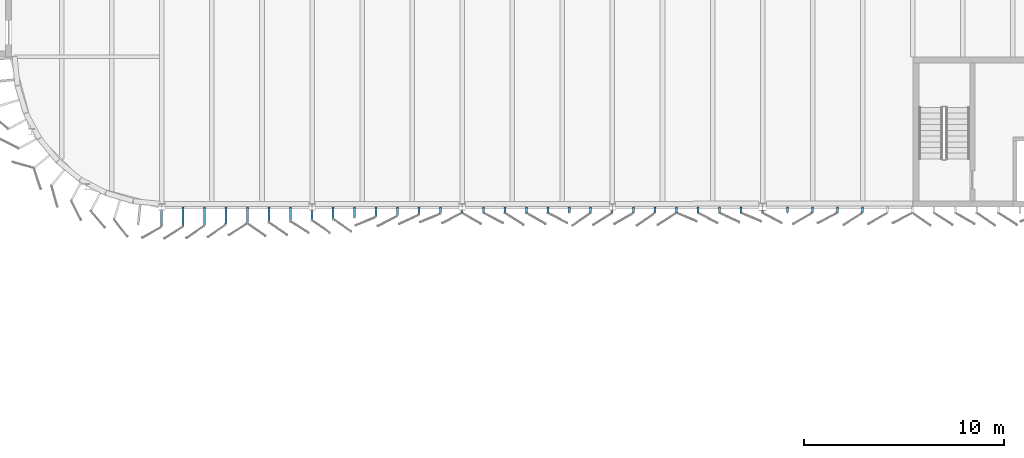
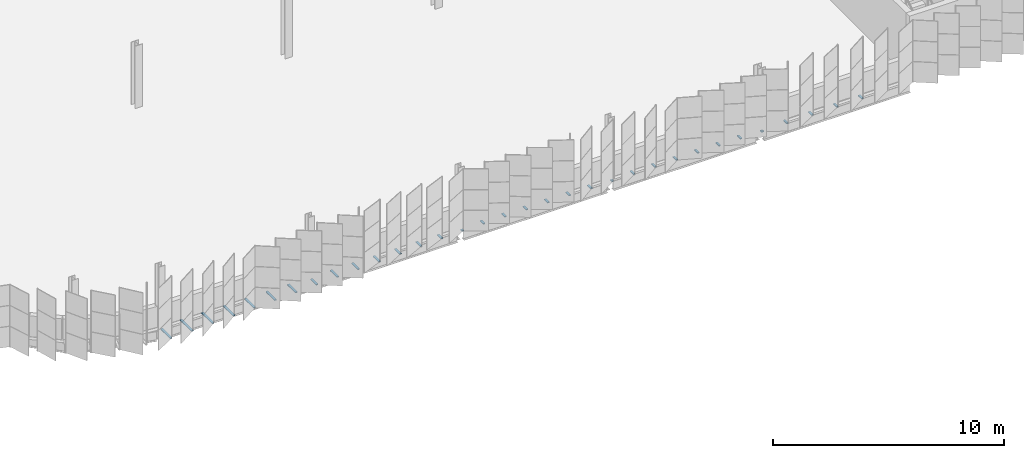
# One storey, part 165 of 199: 33 discrete accessories.
"""IFC4 building model written with IfcOpenShell, lengths in metres."""

from ifc_helpers import new_model, si_unit, direction, frame, origin, origin_2d, place, context, subcontext, project, spatial, rectangle, extrude, material, type_object, element, save


model = new_model("IFC4")

# Units and contexts
model_context = context("Model", 3, precision=1e-05, world=origin(), true_north=direction((0.0, 1.0)))
body_context = subcontext(model_context, "Body", "Model", "MODEL_VIEW")
ifc_project = project(units=[si_unit("LENGTHUNIT", "METRE"), si_unit("AREAUNIT", "SQUARE_METRE"), si_unit("VOLUMEUNIT", "CUBIC_METRE"), si_unit("PLANEANGLEUNIT", "RADIAN"), si_unit("MASSUNIT", "GRAM", prefix="KILO")], contexts=[model_context])

# Site, building, storey
site_placement = place(None, origin())
site = spatial("IfcSite", under=ifc_project, at=site_placement, CompositionType="ELEMENT")
building_placement = place(site_placement, origin())
building = spatial("IfcBuilding", under=site, at=building_placement, Name="Parallax Yard Mobility Hub", CompositionType="ELEMENT")
storey_placement = place(building_placement, frame((0.0, 0.0, 9.89990234375)))
storey = spatial("IfcBuildingStorey", under=building, at=storey_placement, Name="L03", CompositionType="ELEMENT", Elevation=9.89990234375)

# Discrete accessories
ifc_material = material(Name="Steel ASTM A36, hot-dip galvanised", Category="steel")
discrete_accessory_type = type_object("IfcDiscreteAccessoryType", Name="Hinge bracket plate 100x50", PredefinedType="BRACKET", material=ifc_material)
discrete_accessory_1_placement = place(storey_placement, frame((29.9853515625, 111.928955078125, -0.02490234375), z_axis=(0.0, 0.0, 1.0), x_axis=(0.0, -1.0, 0.0)))
element("IfcDiscreteAccessory", 1, at=discrete_accessory_1_placement, inside=storey, type_object=discrete_accessory_type, Name="Hinge bracket plate bay 1.1 level L03", PredefinedType="BRACKET", context=body_context, shape_type="SweptSolid", body=[
    extrude(rectangle(XDim=0.8251953125, YDim=0.10009765625, at=origin_2d()), origin(), (0.0, 0.0, 1.0), 0.050048828125),
])
discrete_accessory_2_placement = place(storey_placement, frame((31.056884765625, 112.0166015625, -0.02490234375), z_axis=(0.0, 0.0, 1.0), x_axis=(0.0, -1.0, 0.0)))
element("IfcDiscreteAccessory", 2, at=discrete_accessory_2_placement, inside=storey, type_object=discrete_accessory_type, Name="Hinge bracket plate bay 1.2 level L03", PredefinedType="BRACKET", context=body_context, shape_type="SweptSolid", body=[
    extrude(rectangle(XDim=0.968017578125, YDim=0.10009765625, at=origin_2d()), origin(), (0.0, 0.0, 1.0), 0.050048828125),
])
discrete_accessory_3_placement = place(storey_placement, frame((32.12841796875, 112.043212890625, -0.02490234375), z_axis=(0.0, 0.0, 1.0), x_axis=(0.0, -1.0, 0.0)))
element("IfcDiscreteAccessory", 3, at=discrete_accessory_3_placement, inside=storey, type_object=discrete_accessory_type, Name="Hinge bracket plate bay 1.3 level L03", PredefinedType="BRACKET", context=body_context, shape_type="SweptSolid", body=[
    extrude(rectangle(XDim=0.91455078125, YDim=0.10009765625, at=origin_2d()), origin(), (0.0, 0.0, 1.0), 0.050048828125),
])
discrete_accessory_4_placement = place(storey_placement, frame((33.19970703125, 112.070068359375, -0.02490234375), z_axis=(0.0, 0.0, 1.0), x_axis=(0.0, -1.0, 0.0)))
element("IfcDiscreteAccessory", 4, at=discrete_accessory_4_placement, inside=storey, type_object=discrete_accessory_type, Name="Hinge bracket plate bay 1.4 level L03", PredefinedType="BRACKET", context=body_context, shape_type="SweptSolid", body=[
    extrude(rectangle(XDim=0.86083984375, YDim=0.10009765625, at=origin_2d()), origin(), (0.0, 0.0, 1.0), 0.050048828125),
])
discrete_accessory_5_placement = place(storey_placement, frame((34.271240234375, 112.0966796875, -0.02490234375), z_axis=(0.0, 0.0, 1.0), x_axis=(0.0, -1.0, 0.0)))
element("IfcDiscreteAccessory", 5, at=discrete_accessory_5_placement, inside=storey, type_object=discrete_accessory_type, Name="Hinge bracket plate bay 1.5 level L03", PredefinedType="BRACKET", context=body_context, shape_type="SweptSolid", body=[
    extrude(rectangle(XDim=0.807373046875, YDim=0.10009765625, at=origin_2d()), origin(), (0.0, 0.0, 1.0), 0.050048828125),
])
discrete_accessory_6_placement = place(storey_placement, frame((35.3427734375, 112.12353515625, -0.02490234375), z_axis=(0.0, 0.0, 1.0), x_axis=(0.0, -1.0, 0.0)))
element("IfcDiscreteAccessory", 6, at=discrete_accessory_6_placement, inside=storey, type_object=discrete_accessory_type, Name="Hinge bracket plate bay 1.6 level L03", PredefinedType="BRACKET", context=body_context, shape_type="SweptSolid", body=[
    extrude(rectangle(XDim=0.75390625, YDim=0.10009765625, at=origin_2d()), origin(), (0.0, 0.0, 1.0), 0.050048828125),
])
discrete_accessory_7_placement = place(storey_placement, frame((36.414306640625, 112.150390625, -0.02490234375), z_axis=(0.0, 0.0, 1.0), x_axis=(0.0, -1.0, 0.0)))
element("IfcDiscreteAccessory", 7, at=discrete_accessory_7_placement, inside=storey, type_object=discrete_accessory_type, Name="Hinge bracket plate bay 1.7 level L03", PredefinedType="BRACKET", context=body_context, shape_type="SweptSolid", body=[
    extrude(rectangle(XDim=0.7001953125, YDim=0.10009765625, at=origin_2d()), origin(), (0.0, 0.0, 1.0), 0.050048828125),
])
discrete_accessory_8_placement = place(storey_placement, frame((37.48583984375, 112.100341796875, -0.02490234375), z_axis=(0.0, 0.0, 1.0), x_axis=(0.0, -1.0, 0.0)))
element("IfcDiscreteAccessory", 8, at=discrete_accessory_8_placement, inside=storey, type_object=discrete_accessory_type, Name="Hinge bracket plate bay 2.1 level L03", PredefinedType="BRACKET", context=body_context, shape_type="SweptSolid", body=[
    extrude(rectangle(XDim=0.4931640625, YDim=0.10009765625, at=origin_2d()), origin(), (0.0, 0.0, 1.0), 0.050048828125),
])
discrete_accessory_9_placement = place(storey_placement, frame((38.557373046875, 112.2041015625, -0.02490234375), z_axis=(0.0, 0.0, 1.0), x_axis=(0.0, -1.0, 0.0)))
element("IfcDiscreteAccessory", 9, at=discrete_accessory_9_placement, inside=storey, type_object=discrete_accessory_type, Name="Hinge bracket plate bay 2.2 level L03", PredefinedType="BRACKET", context=body_context, shape_type="SweptSolid", body=[
    extrude(rectangle(XDim=0.593017578125, YDim=0.10009765625, at=origin_2d()), origin(), (0.0, 0.0, 1.0), 0.050048828125),
])
discrete_accessory_10_placement = place(storey_placement, frame((39.62890625, 112.230712890625, -0.02490234375), z_axis=(0.0, 0.0, 1.0), x_axis=(0.0, -1.0, 0.0)))
element("IfcDiscreteAccessory", 10, at=discrete_accessory_10_placement, inside=storey, type_object=discrete_accessory_type, Name="Hinge bracket plate bay 2.3 level L03", PredefinedType="BRACKET", context=body_context, shape_type="SweptSolid", body=[
    extrude(rectangle(XDim=0.53955078125, YDim=0.10009765625, at=origin_2d()), origin(), (0.0, 0.0, 1.0), 0.050048828125),
])
discrete_accessory_11_placement = place(storey_placement, frame((40.7001953125, 112.257568359375, -0.02490234375), z_axis=(0.0, 0.0, 1.0), x_axis=(0.0, -1.0, 0.0)))
element("IfcDiscreteAccessory", 11, at=discrete_accessory_11_placement, inside=storey, type_object=discrete_accessory_type, Name="Hinge bracket plate bay 2.4 level L03", PredefinedType="BRACKET", context=body_context, shape_type="SweptSolid", body=[
    extrude(rectangle(XDim=0.48583984375, YDim=0.10009765625, at=origin_2d()), origin(), (0.0, 0.0, 1.0), 0.050048828125),
])
discrete_accessory_12_placement = place(storey_placement, frame((41.771728515625, 112.2841796875, -0.02490234375), z_axis=(0.0, 0.0, 1.0), x_axis=(0.0, -1.0, 0.0)))
element("IfcDiscreteAccessory", 12, at=discrete_accessory_12_placement, inside=storey, type_object=discrete_accessory_type, Name="Hinge bracket plate bay 2.5 level L03", PredefinedType="BRACKET", context=body_context, shape_type="SweptSolid", body=[
    extrude(rectangle(XDim=0.432373046875, YDim=0.10009765625, at=origin_2d()), origin(), (0.0, 0.0, 1.0), 0.050048828125),
])
discrete_accessory_13_placement = place(storey_placement, frame((42.84326171875, 112.31103515625, -0.02490234375), z_axis=(0.0, 0.0, 1.0), x_axis=(0.0, -1.0, 0.0)))
element("IfcDiscreteAccessory", 13, at=discrete_accessory_13_placement, inside=storey, type_object=discrete_accessory_type, Name="Hinge bracket plate bay 2.6 level L03", PredefinedType="BRACKET", context=body_context, shape_type="SweptSolid", body=[
    extrude(rectangle(XDim=0.37890625, YDim=0.10009765625, at=origin_2d()), origin(), (0.0, 0.0, 1.0), 0.050048828125),
])
discrete_accessory_14_placement = place(storey_placement, frame((43.914794921875, 112.337890625, -0.02490234375), z_axis=(0.0, 0.0, 1.0), x_axis=(0.0, -1.0, 0.0)))
element("IfcDiscreteAccessory", 14, at=discrete_accessory_14_placement, inside=storey, type_object=discrete_accessory_type, Name="Hinge bracket plate bay 2.7 level L03", PredefinedType="BRACKET", context=body_context, shape_type="SweptSolid", body=[
    extrude(rectangle(XDim=0.3251953125, YDim=0.10009765625, at=origin_2d()), origin(), (0.0, 0.0, 1.0), 0.050048828125),
])
discrete_accessory_15_placement = place(storey_placement, frame((44.986328125, 112.28173828125, -0.02490234375), z_axis=(0.0, 0.0, 1.0), x_axis=(0.0, -1.0, 0.0)))
element("IfcDiscreteAccessory", 15, at=discrete_accessory_15_placement, inside=storey, type_object=discrete_accessory_type, Name="Hinge bracket plate bay 3.1 level L03", PredefinedType="BRACKET", context=body_context, shape_type="SweptSolid", body=[
    extrude(rectangle(XDim=0.130615234375, YDim=0.10009765625, at=origin_2d()), origin(), (0.0, 0.0, 1.0), 0.050048828125),
])
for number, where, z_axis, x_axis, name in (
    (16, (46.057861328125, 112.3583984375, -0.02490234375), (0.0, 0.0, 1.0), (0.0, -1.0, 0.0), "Hinge bracket plate bay 3.2 level L03"),
    (17, (47.12939453125, 112.3583984375, -0.02490234375), (0.0, 0.0, 1.0), (0.0, -1.0, 0.0), "Hinge bracket plate bay 3.3 level L03"),
    (18, (48.20068359375, 112.3583984375, -0.02490234375), (0.0, 0.0, 1.0), (0.0, -1.0, 0.0), "Hinge bracket plate bay 3.4 level L03"),
    (19, (49.272216796875, 112.3583984375, -0.02490234375), (0.0, 0.0, 1.0), (0.0, -1.0, 0.0), "Hinge bracket plate bay 3.5 level L03"),
    (20, (50.34375, 112.3583984375, -0.02490234375), (0.0, 0.0, 1.0), (0.0, -1.0, 0.0), "Hinge bracket plate bay 3.6 level L03"),
    (21, (51.415283203125, 112.3583984375, -0.02490234375), (0.0, 0.0, 1.0), (0.0, -1.0, 0.0), "Hinge bracket plate bay 3.7 level L03"),
):
    element("IfcDiscreteAccessory", number, at=place(storey_placement, frame(where, z_axis=z_axis, x_axis=x_axis)), inside=storey, type_object=discrete_accessory_type, Name=name, PredefinedType="BRACKET", context=body_context, shape_type="SweptSolid", body=[
        extrude(rectangle(XDim=0.2841796875, YDim=0.10009765625, at=origin_2d()), origin(), (0.0, 0.0, 1.0), 0.050048828125),
    ])
discrete_accessory_16_placement = place(storey_placement, frame((52.48681640625, 112.28173828125, -0.02490234375), z_axis=(0.0, 0.0, 1.0), x_axis=(0.0, -1.0, 0.0)))
element("IfcDiscreteAccessory", 22, at=discrete_accessory_16_placement, inside=storey, type_object=discrete_accessory_type, Name="Hinge bracket plate bay 4.1 level L03", PredefinedType="BRACKET", context=body_context, shape_type="SweptSolid", body=[
    extrude(rectangle(XDim=0.130615234375, YDim=0.10009765625, at=origin_2d()), origin(), (0.0, 0.0, 1.0), 0.050048828125),
])
for number, where, z_axis, x_axis, name in (
    (23, (53.558349609375, 112.3583984375, -0.02490234375), (0.0, 0.0, 1.0), (0.0, -1.0, 0.0), "Hinge bracket plate bay 4.2 level L03"),
    (24, (54.6298828125, 112.3583984375, -0.02490234375), (0.0, 0.0, 1.0), (0.0, -1.0, 0.0), "Hinge bracket plate bay 4.3 level L03"),
    (25, (55.701416015625, 112.3583984375, -0.02490234375), (0.0, 0.0, 1.0), (0.0, -1.0, 0.0), "Hinge bracket plate bay 4.4 level L03"),
    (26, (56.772705078125, 112.3583984375, -0.02490234375), (0.0, 0.0, 1.0), (0.0, -1.0, 0.0), "Hinge bracket plate bay 4.5 level L03"),
    (27, (57.84423828125, 112.3583984375, -0.02490234375), (0.0, 0.0, 1.0), (0.0, -1.0, 0.0), "Hinge bracket plate bay 4.6 level L03"),
    (28, (58.915771484375, 112.3583984375, -0.02490234375), (0.0, 0.0, 1.0), (0.0, -1.0, 0.0), "Hinge bracket plate bay 4.7 level L03"),
):
    element("IfcDiscreteAccessory", number, at=place(storey_placement, frame(where, z_axis=z_axis, x_axis=x_axis)), inside=storey, type_object=discrete_accessory_type, Name=name, PredefinedType="BRACKET", context=body_context, shape_type="SweptSolid", body=[
        extrude(rectangle(XDim=0.2841796875, YDim=0.10009765625, at=origin_2d()), origin(), (0.0, 0.0, 1.0), 0.050048828125),
    ])
discrete_accessory_17_placement = place(storey_placement, frame((59.9873046875, 112.266357421875, -0.02490234375), z_axis=(0.0, 0.0, 1.0), x_axis=(0.0, -1.0, 0.0)))
element("IfcDiscreteAccessory", 29, at=discrete_accessory_17_placement, inside=storey, type_object=discrete_accessory_type, Name="Hinge bracket plate bay 5.1 level L03", PredefinedType="BRACKET", context=body_context, shape_type="SweptSolid", body=[
    extrude(rectangle(XDim=0.10009765625, YDim=0.10009765625, at=origin_2d()), origin(), (0.0, 0.0, 1.0), 0.050048828125),
])
for number, where, z_axis, x_axis, name in (
    (30, (61.236572265625, 112.3583984375, -0.02490234375), (0.0, 0.0, 1.0), (0.0, -1.0, 0.0), "Hinge bracket plate bay 5.2 level L03"),
    (31, (62.48583984375, 112.3583984375, -0.02490234375), (0.0, 0.0, 1.0), (0.0, -1.0, 0.0), "Hinge bracket plate bay 5.3 level L03"),
    (32, (63.735107421875, 112.3583984375, -0.02490234375), (0.0, 0.0, 1.0), (0.0, -1.0, 0.0), "Hinge bracket plate bay 5.4 level L03"),
    (33, (64.984375, 112.3583984375, -0.02490234375), (0.0, 0.0, 1.0), (0.0, -1.0, 0.0), "Hinge bracket plate bay 5.5 level L03"),
):
    element("IfcDiscreteAccessory", number, at=place(storey_placement, frame(where, z_axis=z_axis, x_axis=x_axis)), inside=storey, type_object=discrete_accessory_type, Name=name, PredefinedType="BRACKET", context=body_context, shape_type="SweptSolid", body=[
        extrude(rectangle(XDim=0.2841796875, YDim=0.10009765625, at=origin_2d()), origin(), (0.0, 0.0, 1.0), 0.050048828125),
    ])

save(model, "model.ifc")
